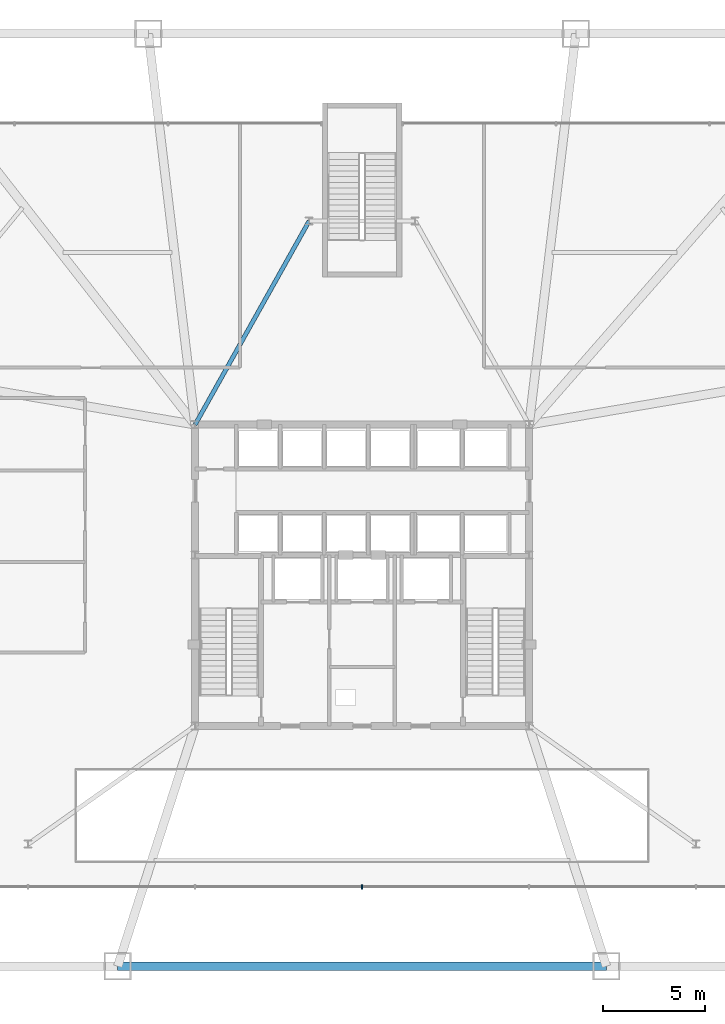
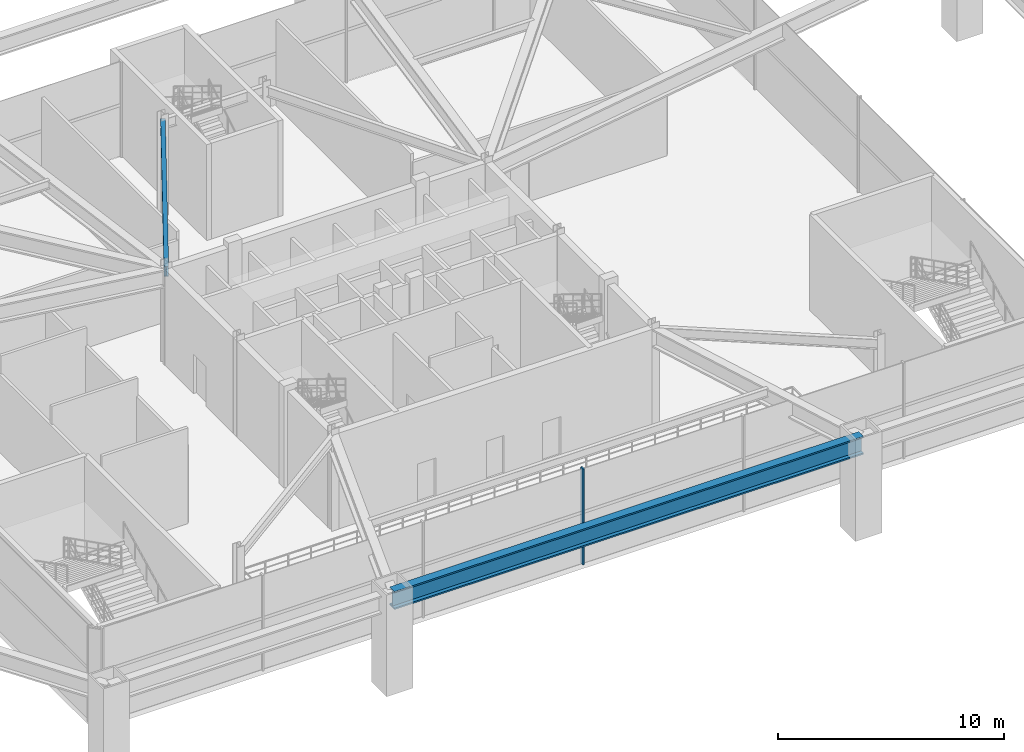
# One storey, part 6 of 18: 2 beams, 1 member, 1 element without a shape of its own.
"""IFC4 building model written with IfcOpenShell, lengths in metres."""

import ifcopenshell
import ifcopenshell.guid

model = None  # the IFC model being written
_history = None  # IfcOwnerHistory: only IFC2X3 demands one
_inside = {}  # id of a spatial element -> (the spatial element, [elements in it])
_under = {}  # id of a project, library or spatial element -> (it, [spatial elements below it])
_declared = {}  # id of a project -> (the project, [libraries it declares])
_typed = {}  # id of a type object -> (the type object, [elements of that type])
_made_of = {}  # id of a material, layer set ... -> (it, [elements and type objects made of it])


def new_model(schema):
    """Start an empty IFC model of exactly this schema.

    Asked for "IFC4X3", IfcOpenShell would pick the latest addendum, in which some entities
    have other attributes; the version numbers below select the first issue.
    IFC2X3 requires an IfcOwnerHistory on every rooted entity: one is made here for all.
    """
    global model, _history
    if schema == "IFC4X3":
        model = ifcopenshell.file(schema_version=(4, 3, 0, 0))
    else:
        model = ifcopenshell.file(schema=schema)
    _inside.clear()
    _under.clear()
    _declared.clear()
    _typed.clear()
    _made_of.clear()
    _history = None
    if model.schema == "IFC2X3":
        org = make("IfcOrganization", Name="unknown")
        user = make(
            "IfcPersonAndOrganization",
            ThePerson=make("IfcPerson", FamilyName="unknown"),
            TheOrganization=org,
        )
        app = make(
            "IfcApplication",
            ApplicationDeveloper=org,
            Version="unknown",
            ApplicationFullName="unknown",
            ApplicationIdentifier="unknown",
        )
        _history = make(
            "IfcOwnerHistory",
            OwningUser=user,
            OwningApplication=app,
            ChangeAction="ADDED",
            CreationDate=0,
        )
    return model


def make(cls, **values):
    """One entity of the class cls with the attributes given. An attribute that is None is left unset."""
    return model.create_entity(
        cls, **{name: value for name, value in values.items() if value is not None}
    )


def rooted(cls, **values):
    """An entity with a GlobalId (a new one), such as an element, a storey or a relation."""
    return make(cls, GlobalId=ifcopenshell.guid.new(), OwnerHistory=_history, **values)


def si_unit(unit_type, name, prefix=None):
    """IfcSIUnit, for example si_unit("LENGTHUNIT", "METRE", prefix="MILLI")."""
    return make("IfcSIUnit", UnitType=unit_type, Prefix=prefix, Name=name)


def assignment(units):
    """IfcUnitAssignment: the units of a project."""
    return None if units is None else make("IfcUnitAssignment", Units=units)


def point(xyz):
    """IfcCartesianPoint."""
    return None if xyz is None else make("IfcCartesianPoint", Coordinates=xyz)


def direction(xyz):
    """IfcDirection."""
    return None if xyz is None else make("IfcDirection", DirectionRatios=xyz)


def frame(location, z_axis=None, x_axis=None):
    """IfcAxis2Placement3D, a coordinate frame: its origin and axes. An axis left out is left unset."""
    return make(
        "IfcAxis2Placement3D",
        Location=point(location),
        Axis=direction(z_axis),
        RefDirection=direction(x_axis),
    )


def frame_2d(location, x_axis=None):
    """IfcAxis2Placement2D, a coordinate frame in the plane: its origin and x axis."""
    return make(
        "IfcAxis2Placement2D", Location=point(location), RefDirection=direction(x_axis)
    )


def origin():
    """The frame at (0, 0, 0) with its axes left unset."""
    return frame((0.0, 0.0, 0.0))


def origin_2d():
    """The frame at (0, 0) in the plane with its x axis left unset."""
    return frame_2d((0.0, 0.0))


def place(relative_to, where):
    """IfcLocalPlacement: puts the frame where relative to a parent placement (None: the world)."""
    return make(
        "IfcLocalPlacement", PlacementRelTo=relative_to, RelativePlacement=where
    )


def context(
    kind, dimensions, precision=None, world=None, true_north=None, identifier=None
):
    """IfcGeometricRepresentationContext, for example the 3D "Model" context."""
    return make(
        "IfcGeometricRepresentationContext",
        ContextIdentifier=identifier,
        ContextType=kind,
        CoordinateSpaceDimension=dimensions,
        Precision=precision,
        WorldCoordinateSystem=world,
        TrueNorth=true_north,
    )


def subcontext(parent, identifier, kind, view, scale=None):
    """IfcGeometricRepresentationSubContext, for example "Body" below "Model"."""
    return make(
        "IfcGeometricRepresentationSubContext",
        ContextIdentifier=identifier,
        ContextType=kind,
        ParentContext=parent,
        TargetScale=scale,
        TargetView=view,
    )


def project(units=None, contexts=None):
    """IfcProject with its units and contexts."""
    return rooted(
        "IfcProject",
        Name="project",
        RepresentationContexts=contexts,
        UnitsInContext=assignment(units),
    )


def spatial(cls, under=None, at=None, **own):
    """A site, building, storey or space (cls), placed at a placement, below another one or the project."""
    s = rooted(cls, ObjectPlacement=at, **own)
    if under is not None:
        _under.setdefault(under.id(), (under, []))[1].append(s)
    return s


def profile(cls, at=None, kind="AREA", **sizes):
    """A parametric profile (cls). Its sizes go by their IFC names, for example OverallWidth=200.0."""
    return make(cls, ProfileType=kind, Position=at, **sizes)


def rectangle(**sizes):
    """IfcRectangleProfileDef."""
    return profile("IfcRectangleProfileDef", **sizes)


def i_section(**sizes):
    """IfcIShapeProfileDef."""
    return profile("IfcIShapeProfileDef", **sizes)


def extrude(swept, where, along, depth):
    """IfcExtrudedAreaSolid: the profile swept, set in the frame where, extruded along a direction by depth."""
    return make(
        "IfcExtrudedAreaSolid",
        SweptArea=swept,
        Position=where,
        ExtrudedDirection=direction(along),
        Depth=depth,
    )


def shape(context_of_items, identifier, shape_type, items):
    """IfcShapeRepresentation: the items that make up one representation, for example the "Body"."""
    return make(
        "IfcShapeRepresentation",
        ContextOfItems=context_of_items,
        RepresentationIdentifier=identifier,
        RepresentationType=shape_type,
        Items=items,
    )


def source(mapping_origin, context_of_items, identifier, shape_type, items):
    """IfcRepresentationMap: a shape defined once, which mapped items show again and again."""
    return make(
        "IfcRepresentationMap",
        MappingOrigin=mapping_origin,
        MappedRepresentation=shape(context_of_items, identifier, shape_type, items),
    )


def transform(
    local_origin,
    x_axis=None,
    y_axis=None,
    z_axis=None,
    scale=None,
    scale2=None,
    scale3=None,
    uniform=True,
):
    """IfcCartesianTransformationOperator3D, or its non-uniform kind. x_axis, y_axis, z_axis: its Axis1, 2, 3."""
    if uniform:
        return make(
            "IfcCartesianTransformationOperator3D",
            Axis1=direction(x_axis),
            Axis2=direction(y_axis),
            LocalOrigin=point(local_origin),
            Scale=scale,
            Axis3=direction(z_axis),
        )
    return make(
        "IfcCartesianTransformationOperator3DnonUniform",
        Axis1=direction(x_axis),
        Axis2=direction(y_axis),
        LocalOrigin=point(local_origin),
        Scale=scale,
        Axis3=direction(z_axis),
        Scale2=scale2,
        Scale3=scale3,
    )


def mapped(mapping_source, mapping_target):
    """IfcMappedItem: shows the shape of a source again, moved by a transform."""
    return make(
        "IfcMappedItem", MappingSource=mapping_source, MappingTarget=mapping_target
    )


def material(Name=None, Category=None):
    """IfcMaterial."""
    return make("IfcMaterial", Name=Name, Category=Category)


def layer(
    of_material, thickness, ventilated=None, Name=None, Category=None, Priority=None
):
    """IfcMaterialLayer: one layer of a wall or slab, of a material (None: an air gap)."""
    return make(
        "IfcMaterialLayer",
        Material=of_material,
        LayerThickness=thickness,
        IsVentilated=ventilated,
        Name=Name,
        Category=Category,
        Priority=Priority,
    )


def layer_set(layers, Name=None):
    """IfcMaterialLayerSet."""
    return make("IfcMaterialLayerSet", MaterialLayers=layers, LayerSetName=Name)


def material_profile(
    of_material, cross_section, Name=None, Category=None, Priority=None
):
    """IfcMaterialProfile: a cross section and its material."""
    return make(
        "IfcMaterialProfile",
        Name=Name,
        Material=of_material,
        Profile=cross_section,
        Priority=Priority,
        Category=Category,
    )


def profile_set(profiles, Name=None, composite=None):
    """IfcMaterialProfileSet."""
    return make(
        "IfcMaterialProfileSet",
        Name=Name,
        MaterialProfiles=profiles,
        CompositeProfile=composite,
    )


def made_of(thing, what):
    """Note that an element or type object is made of a material, layer set ...; save() writes the relation."""
    if what is not None:
        _made_of.setdefault(what.id(), (what, []))[1].append(thing)
    return thing


def type_object(cls, material=None, **own):
    """A type object (cls), such as IfcWallType, which elements share."""
    return made_of(rooted(cls, **own), material)


def type_shapes(of_type, sources):
    """Give a type object the sources (RepresentationMaps) that its elements show as mapped items."""
    of_type.RepresentationMaps = sources


def element(
    cls,
    number,
    at=None,
    inside=None,
    cuts=None,
    type_object=None,
    material=None,
    context=None,
    identifier="Body",
    shape_type=None,
    held_by="IfcProductDefinitionShape",
    body=None,
    shapes=None,
    **own,
):
    """One element of the class cls, such as IfcWall. Its Tag is "e" and its number.

    at: its placement. inside: the storey or other place that contains it. cuts: it is an
    opening in that element (IfcRelVoidsElement). A single representation is given by context,
    identifier, shape_type and body (its items); several are given by shapes. held_by: the class
    of the entity that holds the representations. save() writes the other relations.
    """
    e = rooted(cls, Tag="e%d" % number, ObjectPlacement=at, **own)
    if body is not None:
        shapes = [shape(context, identifier, shape_type, body)]
    if shapes is not None:
        e.Representation = make(held_by, Representations=shapes)
    if inside is not None:
        _inside.setdefault(inside.id(), (inside, []))[1].append(e)
    if cuts is not None:
        rooted(
            "IfcRelVoidsElement", RelatingBuildingElement=cuts, RelatedOpeningElement=e
        )
    if type_object is not None:
        _typed.setdefault(type_object.id(), (type_object, []))[1].append(e)
    return made_of(e, material)


def aggregate(whole, parts):
    """IfcRelAggregates: a whole, such as a stair, and the parts it consists of."""
    return rooted("IfcRelAggregates", RelatingObject=whole, RelatedObjects=parts)


def save(model, path):
    """Write the relations noted so far, then the file.

    IfcRelAggregates (storeys below a building ...), IfcRelContainedInSpatialStructure (elements
    in a storey), IfcRelDefinesByType, IfcRelAssociatesMaterial and IfcRelDeclares: one each for
    every whole, place, type object, material and project.
    """
    for whole, parts in _under.values():
        aggregate(whole, parts)
    for where, things in _inside.values():
        rooted(
            "IfcRelContainedInSpatialStructure",
            RelatedElements=things,
            RelatingStructure=where,
        )
    for kind, things in _typed.values():
        rooted("IfcRelDefinesByType", RelatedObjects=things, RelatingType=kind)
    for what, things in _made_of.values():
        rooted("IfcRelAssociatesMaterial", RelatedObjects=things, RelatingMaterial=what)
    for by, libraries in _declared.values():
        rooted("IfcRelDeclares", RelatingContext=by, RelatedDefinitions=libraries)
    model.write(path)


model = new_model("IFC4")

# Units and contexts
model_context = context("Model", 3, precision=1e-05, world=origin(), true_north=direction((0.0, 1.0)))
body_context = subcontext(model_context, "Body", "Model", "MODEL_VIEW")
ifc_project = project(units=[si_unit("LENGTHUNIT", "METRE"), si_unit("AREAUNIT", "SQUARE_METRE"), si_unit("VOLUMEUNIT", "CUBIC_METRE"), si_unit("PLANEANGLEUNIT", "RADIAN"), si_unit("MASSUNIT", "GRAM", prefix="KILO")], contexts=[model_context])

# Site, building, storey
site_placement = place(None, origin())
site = spatial("IfcSite", under=ifc_project, at=site_placement, CompositionType="ELEMENT")
building_placement = place(site_placement, origin())
building = spatial("IfcBuilding", under=site, at=building_placement, Name="Varakhsha Concourse Tower", CompositionType="ELEMENT")
storey_placement = place(building_placement, frame((0.0, 0.0, 5.5)))
storey = spatial("IfcBuildingStorey", under=building, at=storey_placement, Name="L02", CompositionType="ELEMENT", Elevation=5.5)

# Beams
ifc_material_1 = material(Name="Structural Steel ASTM A992 Grade 50", Category="steel")
ifc_material_profile_1 = material_profile(ifc_material_1, i_section(OverallWidth=0.2109375, OverallDepth=0.5390625, WebThickness=0.011962890625, FlangeThickness=0.01904296875, at=origin_2d()), Name="W21X73")
ifc_profile_set_1 = profile_set([ifc_material_profile_1], Name="Structural Steel ASTM A992 Grade 50")
beam_type_1 = type_object("IfcBeamType", Name="BM-RAD-W21X73", PredefinedType="BEAM", material=ifc_profile_set_1)
beam_1_placement = place(storey_placement, frame((31.800048828125, 31.199951171875, 4.910400390625), z_axis=(0.488593639205, 0.872511464526, 0.0), x_axis=(-0.872511464526, 0.488593639205, 0.0)))
element("IfcBeam", 1, at=beam_1_placement, inside=storey, type_object=beam_type_1, Name="BM-CORE-L02-NSW", PredefinedType="BEAM", context=body_context, shape_type="SweptSolid", body=[
    extrude(i_section(OverallWidth=0.2109375, OverallDepth=0.5390625, WebThickness=0.011962890625, FlangeThickness=0.01904296875, at=origin_2d()), origin(), (0.0, 0.0, 1.0), 11.461181640625),
])
ifc_material_profile_2 = material_profile(ifc_material_1, i_section(OverallWidth=0.427978515625, OverallDepth=0.97509765625, WebThickness=0.050048828125, FlangeThickness=0.0810546875, at=origin_2d()), Name="W36X395")
ifc_profile_set_2 = profile_set([ifc_material_profile_2], Name="Structural Steel ASTM A992 Grade 50")
beam_type_2 = type_object("IfcBeamType", Name="BM-XFER-W36X395", PredefinedType="USERDEFINED", material=ifc_profile_set_2)
beam_2_placement = place(storey_placement, frame((28.0, 4.60009765625, 4.6923828125), z_axis=(1.0, 0.0, 0.0), x_axis=(0.0, 1.0, 0.0)))
element("IfcBeam", 2, at=beam_2_placement, inside=storey, type_object=beam_type_2, Name="BM-PRING-L02-02", ObjectType="GIRDER", PredefinedType="USERDEFINED", context=body_context, shape_type="SweptSolid", body=[
    extrude(i_section(OverallWidth=0.427978515625, OverallDepth=0.97509765625, WebThickness=0.050048828125, FlangeThickness=0.0810546875, at=origin_2d()), origin(), (0.0, 0.0, 1.0), 24.0),
])

# Curtain wall, member
ifc_material_2 = material(Name="Anodised Bronze Architectural Aluminium AA 6063-T6", Category="aluminium")
ifc_layer = layer(ifc_material_2, 0.239990234375, Name="CW-SYS-01")
ifc_layer_set = layer_set([ifc_layer], Name="Anodised Bronze Architectural Aluminium AA 6063-T6")
curtain_wall_type = type_object("IfcCurtainWallType", Name="CW-SYS-01", PredefinedType="NOTDEFINED", material=ifc_layer_set)
curtain_wall_placement = place(storey_placement, origin())
curtain_wall = element("IfcCurtainWall", 3, at=curtain_wall_placement, inside=storey, type_object=curtain_wall_type, Name="L02 Mezzanine Curtain Wall 01", PredefinedType="NOTDEFINED")
ifc_material_profile_3 = material_profile(ifc_material_2, rectangle(XDim=0.074951171875, YDim=0.219970703125, at=origin_2d()), Name="CWM-220X75")
ifc_profile_set_3 = profile_set([ifc_material_profile_3], Name="Anodised Bronze Architectural Aluminium AA 6063-T6")
member_type = type_object("IfcMemberType", Name="CWM-220X75", PredefinedType="MULLION", material=ifc_profile_set_3)
shared_shape = source(origin(), body_context, "Body", "SweptSolid", [
    extrude(rectangle(XDim=0.074951171875, YDim=0.219970703125, at=origin_2d()), origin(), (0.0, 0.0, 1.0), 5.179931640625),
])
type_shapes(member_type, [shared_shape])
member_placement = place(storey_placement, frame((40.0, 8.5, 0.0), z_axis=(0.0, 0.0, 1.0), x_axis=(1.0, 0.0, 0.0)))
member = element("IfcMember", 4, at=member_placement, type_object=member_type, Name="CW-L02-01 Mullion 03", PredefinedType="MULLION", context=body_context, shape_type="MappedRepresentation", body=[
    mapped(shared_shape, transform((0.0, 0.0, 0.0), scale=1.0)),
])
aggregate(curtain_wall, [member])

save(model, "model.ifc")
